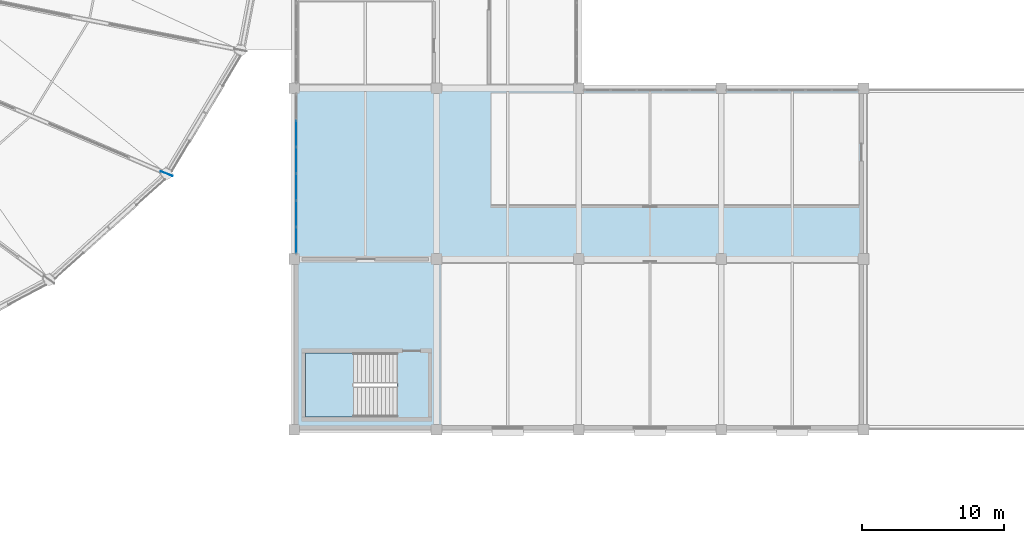
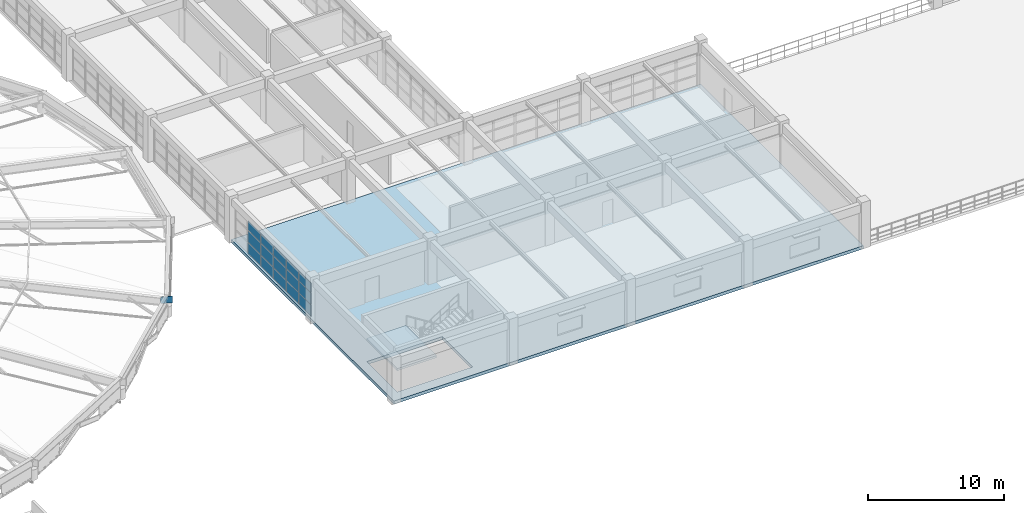
# One storey, part 47 of 83: 16 plates, 2 slabs, 2 elements without a shape of their own.
"""IFC4 building model written with IfcOpenShell, lengths in metres."""

from ifc_helpers import new_model, si_unit, direction, frame, origin, origin_2d, place, context, subcontext, project, spatial, polyline, rectangle, outline, extrude, material, layer, layer_set, type_object, element, aggregate, save


model = new_model("IFC4")

# Units and contexts
model_context = context("Model", 3, precision=1e-05, world=origin(), true_north=direction((0.0, 1.0)))
body_context = subcontext(model_context, "Body", "Model", "MODEL_VIEW")
ifc_project = project(units=[si_unit("LENGTHUNIT", "METRE"), si_unit("AREAUNIT", "SQUARE_METRE"), si_unit("VOLUMEUNIT", "CUBIC_METRE"), si_unit("PLANEANGLEUNIT", "RADIAN"), si_unit("MASSUNIT", "GRAM", prefix="KILO")], contexts=[model_context])

# Site, building, storey
site_placement = place(None, origin())
site = spatial("IfcSite", under=ifc_project, at=site_placement, CompositionType="ELEMENT")
building_placement = place(site_placement, origin())
building = spatial("IfcBuilding", under=site, at=building_placement, Name="Kivolera Central Railway Station", CompositionType="ELEMENT")
storey_placement = place(building_placement, frame((0.0, 0.0, 14.39990234375)))
storey = spatial("IfcBuildingStorey", under=building, at=storey_placement, Name="L03", CompositionType="ELEMENT", Elevation=14.39990234375)

# Curtain wall, plates
ifc_material_1 = material(Name="Anodised aluminium", Category="aluminium")
ifc_layer_1 = layer(ifc_material_1, 0.179931640625, Name="Anodised aluminium")
ifc_layer_set_1 = layer_set([ifc_layer_1], Name="Anodised aluminium")
curtain_wall_type = type_object("IfcCurtainWallType", Name="CW-SYS-30", PredefinedType="NOTDEFINED", material=ifc_layer_set_1)
curtain_wall_placement = place(storey_placement, origin())
curtain_wall = element("IfcCurtainWall", 1, at=curtain_wall_placement, inside=storey, type_object=curtain_wall_type, Name="L03 Curtain Wall CW-L03-WEST-F", PredefinedType="NOTDEFINED")
ifc_material_2 = material(Name="Double low-E laminated glass", Category="glass")
ifc_layer_2 = layer(ifc_material_2, 0.030029296875, Name="Double low-E laminated glass")
ifc_layer_set_2 = layer_set([ifc_layer_2], Name="Double low-E laminated glass")
plate_type_1 = type_object("IfcPlateType", Name="CWP-GLZ-2", PredefinedType="CURTAIN_PANEL", material=ifc_layer_set_2)
plate_1_placement = place(storey_placement, frame((118.14501953125, 67.325927734375, 0.05810546875), z_axis=(0.0, 0.0, 1.0), x_axis=(0.0, 1.0, 0.0)))
plate_1 = element("IfcPlate", 2, at=plate_1_placement, type_object=plate_type_1, Name="CW-30 panel 1.1", PredefinedType="CURTAIN_PANEL", context=body_context, shape_type="SweptSolid", body=[
    extrude(rectangle(XDim=1.795654296875, YDim=0.030029296875, at=origin_2d()), origin(), (0.0, 0.0, 1.0), 0.996337890625),
])
plate_2_placement = place(storey_placement, frame((118.14501953125, 67.325927734375, 1.100341796875), z_axis=(0.0, 0.0, 1.0), x_axis=(0.0, 1.0, 0.0)))
plate_2 = element("IfcPlate", 3, at=plate_2_placement, type_object=plate_type_1, Name="CW-30 panel 1.2", PredefinedType="CURTAIN_PANEL", context=body_context, shape_type="SweptSolid", body=[
    extrude(rectangle(XDim=1.795654296875, YDim=0.030029296875, at=origin_2d()), origin(), (0.0, 0.0, 1.0), 1.03125),
])
plate_3_placement = place(storey_placement, frame((118.14501953125, 67.325927734375, 2.177734375), z_axis=(0.0, 0.0, 1.0), x_axis=(0.0, 1.0, 0.0)))
plate_3 = element("IfcPlate", 4, at=plate_3_placement, type_object=plate_type_1, Name="CW-30 panel 1.3", PredefinedType="CURTAIN_PANEL", context=body_context, shape_type="SweptSolid", body=[
    extrude(rectangle(XDim=1.795654296875, YDim=0.030029296875, at=origin_2d()), origin(), (0.0, 0.0, 1.0), 0.84228515625),
])
plate_4_placement = place(storey_placement, frame((118.14501953125, 69.18505859375, 0.05810546875), z_axis=(0.0, 0.0, 1.0), x_axis=(0.0, 1.0, 0.0)))
plate_4 = element("IfcPlate", 5, at=plate_4_placement, type_object=plate_type_1, Name="CW-30 panel 2.1", PredefinedType="CURTAIN_PANEL", context=body_context, shape_type="SweptSolid", body=[
    extrude(rectangle(XDim=1.83056640625, YDim=0.030029296875, at=origin_2d()), origin(), (0.0, 0.0, 1.0), 0.996337890625),
])
plate_5_placement = place(storey_placement, frame((118.14501953125, 69.18505859375, 1.100341796875), z_axis=(0.0, 0.0, 1.0), x_axis=(0.0, 1.0, 0.0)))
plate_5 = element("IfcPlate", 6, at=plate_5_placement, type_object=plate_type_1, Name="CW-30 panel 2.2", PredefinedType="CURTAIN_PANEL", context=body_context, shape_type="SweptSolid", body=[
    extrude(rectangle(XDim=1.83056640625, YDim=0.030029296875, at=origin_2d()), origin(), (0.0, 0.0, 1.0), 1.03125),
])
plate_6_placement = place(storey_placement, frame((118.14501953125, 69.18505859375, 2.177734375), z_axis=(0.0, 0.0, 1.0), x_axis=(0.0, 1.0, 0.0)))
plate_6 = element("IfcPlate", 7, at=plate_6_placement, type_object=plate_type_1, Name="CW-30 panel 2.3", PredefinedType="CURTAIN_PANEL", context=body_context, shape_type="SweptSolid", body=[
    extrude(rectangle(XDim=1.83056640625, YDim=0.030029296875, at=origin_2d()), origin(), (0.0, 0.0, 1.0), 0.84228515625),
])
plate_7_placement = place(storey_placement, frame((118.14501953125, 71.061767578125, 0.05810546875), z_axis=(0.0, 0.0, 1.0), x_axis=(0.0, 1.0, 0.0)))
plate_7 = element("IfcPlate", 8, at=plate_7_placement, type_object=plate_type_1, Name="CW-30 panel 3.1", PredefinedType="CURTAIN_PANEL", context=body_context, shape_type="SweptSolid", body=[
    extrude(rectangle(XDim=1.83056640625, YDim=0.030029296875, at=origin_2d()), origin(), (0.0, 0.0, 1.0), 0.996337890625),
])
plate_8_placement = place(storey_placement, frame((118.14501953125, 71.061767578125, 1.100341796875), z_axis=(0.0, 0.0, 1.0), x_axis=(0.0, 1.0, 0.0)))
plate_8 = element("IfcPlate", 9, at=plate_8_placement, type_object=plate_type_1, Name="CW-30 panel 3.2", PredefinedType="CURTAIN_PANEL", context=body_context, shape_type="SweptSolid", body=[
    extrude(rectangle(XDim=1.83056640625, YDim=0.030029296875, at=origin_2d()), origin(), (0.0, 0.0, 1.0), 1.03125),
])
plate_9_placement = place(storey_placement, frame((118.14501953125, 71.061767578125, 2.177734375), z_axis=(0.0, 0.0, 1.0), x_axis=(0.0, 1.0, 0.0)))
plate_9 = element("IfcPlate", 10, at=plate_9_placement, type_object=plate_type_1, Name="CW-30 panel 3.3", PredefinedType="CURTAIN_PANEL", context=body_context, shape_type="SweptSolid", body=[
    extrude(rectangle(XDim=1.83056640625, YDim=0.030029296875, at=origin_2d()), origin(), (0.0, 0.0, 1.0), 0.84228515625),
])
plate_10_placement = place(storey_placement, frame((118.14501953125, 72.938232421875, 0.05810546875), z_axis=(0.0, 0.0, 1.0), x_axis=(0.0, 1.0, 0.0)))
plate_10 = element("IfcPlate", 11, at=plate_10_placement, type_object=plate_type_1, Name="CW-30 panel 4.1", PredefinedType="CURTAIN_PANEL", context=body_context, shape_type="SweptSolid", body=[
    extrude(rectangle(XDim=1.83056640625, YDim=0.030029296875, at=origin_2d()), origin(), (0.0, 0.0, 1.0), 0.996337890625),
])
plate_11_placement = place(storey_placement, frame((118.14501953125, 72.938232421875, 1.100341796875), z_axis=(0.0, 0.0, 1.0), x_axis=(0.0, 1.0, 0.0)))
plate_11 = element("IfcPlate", 12, at=plate_11_placement, type_object=plate_type_1, Name="CW-30 panel 4.2", PredefinedType="CURTAIN_PANEL", context=body_context, shape_type="SweptSolid", body=[
    extrude(rectangle(XDim=1.83056640625, YDim=0.030029296875, at=origin_2d()), origin(), (0.0, 0.0, 1.0), 1.03125),
])
plate_12_placement = place(storey_placement, frame((118.14501953125, 72.938232421875, 2.177734375), z_axis=(0.0, 0.0, 1.0), x_axis=(0.0, 1.0, 0.0)))
plate_12 = element("IfcPlate", 13, at=plate_12_placement, type_object=plate_type_1, Name="CW-30 panel 4.3", PredefinedType="CURTAIN_PANEL", context=body_context, shape_type="SweptSolid", body=[
    extrude(rectangle(XDim=1.83056640625, YDim=0.030029296875, at=origin_2d()), origin(), (0.0, 0.0, 1.0), 0.84228515625),
])
plate_13_placement = place(storey_placement, frame((118.14501953125, 74.81494140625, 0.05810546875), z_axis=(0.0, 0.0, 1.0), x_axis=(0.0, 1.0, 0.0)))
plate_13 = element("IfcPlate", 14, at=plate_13_placement, type_object=plate_type_1, Name="CW-30 panel 5.1", PredefinedType="CURTAIN_PANEL", context=body_context, shape_type="SweptSolid", body=[
    extrude(rectangle(XDim=1.83056640625, YDim=0.030029296875, at=origin_2d()), origin(), (0.0, 0.0, 1.0), 0.996337890625),
])
plate_14_placement = place(storey_placement, frame((118.14501953125, 74.81494140625, 1.100341796875), z_axis=(0.0, 0.0, 1.0), x_axis=(0.0, 1.0, 0.0)))
plate_14 = element("IfcPlate", 15, at=plate_14_placement, type_object=plate_type_1, Name="CW-30 panel 5.2", PredefinedType="CURTAIN_PANEL", context=body_context, shape_type="SweptSolid", body=[
    extrude(rectangle(XDim=1.83056640625, YDim=0.030029296875, at=origin_2d()), origin(), (0.0, 0.0, 1.0), 1.03125),
])
plate_15_placement = place(storey_placement, frame((118.14501953125, 74.81494140625, 2.177734375), z_axis=(0.0, 0.0, 1.0), x_axis=(0.0, 1.0, 0.0)))
plate_15 = element("IfcPlate", 16, at=plate_15_placement, type_object=plate_type_1, Name="CW-30 panel 5.3", PredefinedType="CURTAIN_PANEL", context=body_context, shape_type="SweptSolid", body=[
    extrude(rectangle(XDim=1.83056640625, YDim=0.030029296875, at=origin_2d()), origin(), (0.0, 0.0, 1.0), 0.84228515625),
])
aggregate(curtain_wall, [plate_1, plate_2, plate_3, plate_4, plate_5, plate_6, plate_7, plate_8, plate_9, plate_10, plate_11, plate_12, plate_13, plate_14, plate_15])

# Plate
ifc_material_3 = material(Name="Steel S355", Category="steel")
ifc_layer_3 = layer(ifc_material_3, 0.028076171875, Name="Steel S355")
ifc_layer_set_3 = layer_set([ifc_layer_3], Name="Steel S355")
plate_type_2 = type_object("IfcPlateType", Name="PLT-GUS-900", PredefinedType="SHEET", material=ifc_layer_set_3)
plate_16_placement = place(storey_placement, frame((109.032958984375, 72.0, 1.050048828125), z_axis=(0.0, 0.0, 1.0), x_axis=(0.92857006367, -0.371157159241, 0.0)))
element("IfcPlate", 17, at=plate_16_placement, inside=storey, type_object=plate_type_2, Name="Dome Springing Node Gusset Plate NP-23", PredefinedType="SHEET", context=body_context, shape_type="SweptSolid", body=[
    extrude(rectangle(XDim=0.89990234375, YDim=0.028076171875, at=origin_2d()), origin(), (0.0, 0.0, 1.0), 0.60009765625),
])

# Slab
ifc_material_4 = material(Name="Concrete C40/50", Category="concrete")
ifc_layer_4 = layer(ifc_material_4, 0.280029296875, Name="Concrete C40/50")
ifc_layer_set_4 = layer_set([ifc_layer_4], Name="Concrete C40/50")
slab_type_1 = type_object("IfcSlabType", Name="SLB-FLR-280", PredefinedType="FLOOR", material=ifc_layer_set_4)
slab_1_placement = place(storey_placement, frame((0.0, 0.0, -0.27978515625)))
element("IfcSlab", 18, at=slab_1_placement, inside=storey, type_object=slab_type_1, Name="L03 Wing SOUTH-W Floor Slab", PredefinedType="FLOOR", context=body_context, shape_type="SweptSolid", body=[
    extrude(outline(polyline([(118.0, 54.0), (158.0, 54.0), (158.0, 78.0), (118.0, 78.0), (118.0, 54.0)]), holes=[polyline([(125.239990234375, 59.39990234375), (118.800048828125, 59.39990234375), (118.800048828125, 54.89990234375), (125.239990234375, 54.89990234375), (125.239990234375, 59.39990234375)])]), origin(), (0.0, 0.0, 1.0), 0.27978515625),
])

# Stair, slab
stair_type = type_object("IfcStairType", Name="STR-2160-24", PredefinedType="HALF_TURN_STAIR", material=ifc_material_4)
stair_placement = place(storey_placement, origin())
stair = element("IfcStair", 19, at=stair_placement, inside=storey, type_object=stair_type, Name="L03 Protected Exit Stair ST4", PredefinedType="HALF_TURN_STAIR")
ifc_layer_5 = layer(ifc_material_4, 0.199951171875, Name="Concrete C40/50")
ifc_layer_set_5 = layer_set([ifc_layer_5], Name="Concrete C40/50")
slab_type_2 = type_object("IfcSlabType", Name="SLB-LND-200", PredefinedType="LANDING", material=ifc_layer_set_5)
slab_2_placement = place(storey_placement, frame((0.0, 0.0, 1.900146484375)))
slab_2 = element("IfcSlab", 20, at=slab_2_placement, type_object=slab_type_2, Name="ST4 landing 1", PredefinedType="LANDING", context=body_context, shape_type="SweptSolid", body=[
    extrude(outline(polyline([(122.159912109375, 59.39990234375), (118.800048828125, 59.39990234375), (118.800048828125, 54.89990234375), (122.159912109375, 54.89990234375), (122.159912109375, 59.39990234375)])), origin(), (0.0, 0.0, 1.0), 0.199951171875),
])
aggregate(stair, [slab_2])

save(model, "model.ifc")
